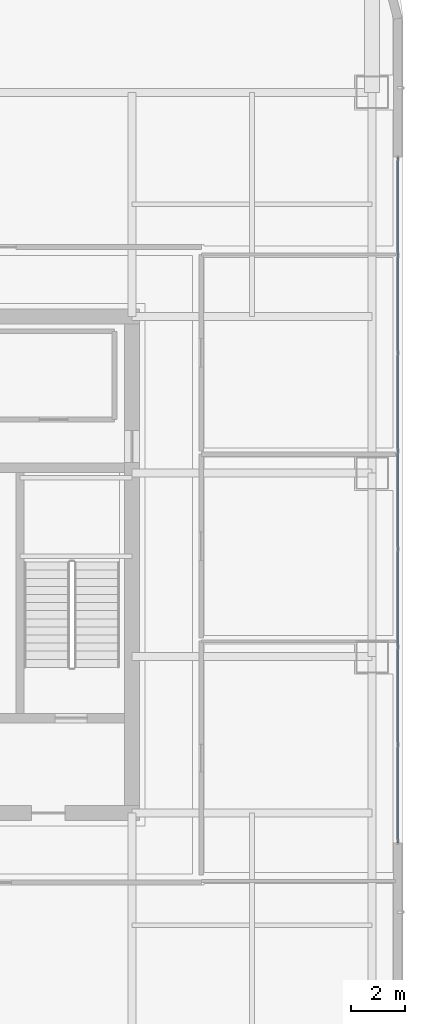
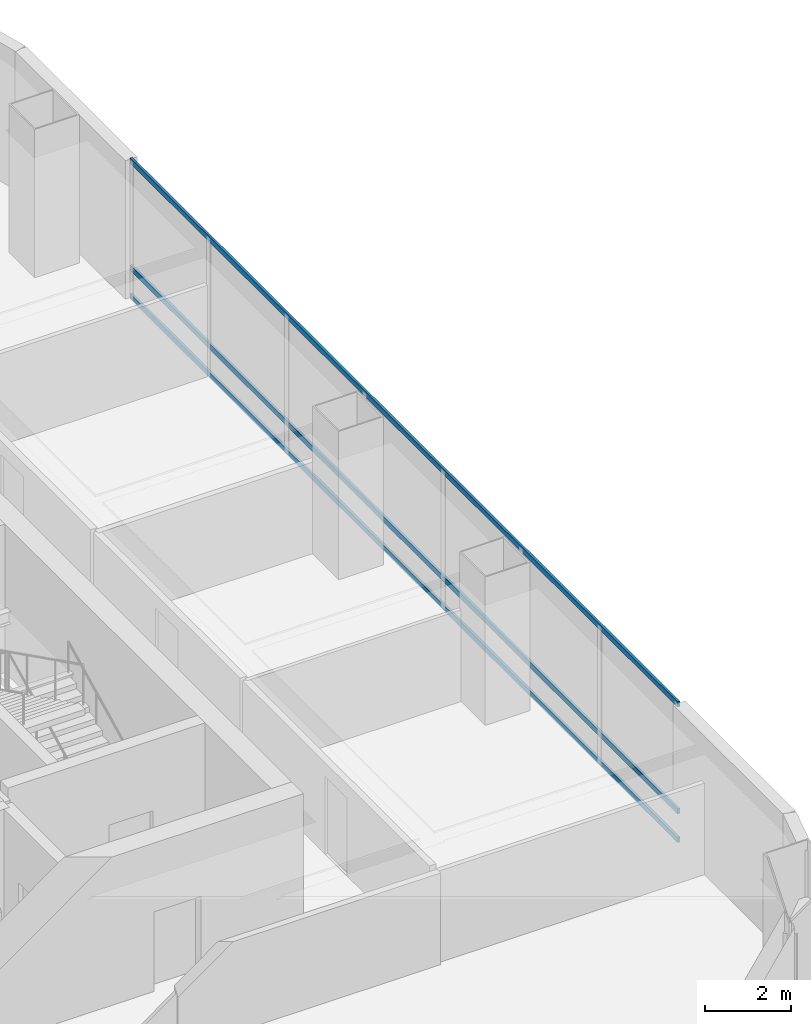
# One storey, part 18 of 51: 3 members, 1 element without a shape of its own.
"""IFC4 building model written with IfcOpenShell, lengths in metres."""

from ifc_helpers import new_model, si_unit, direction, frame, origin, origin_2d, place, context, subcontext, project, spatial, hollow_rectangle, extrude, material, material_profile, profile_set, type_object, element, aggregate, save


model = new_model("IFC4")

# Units and contexts
model_context = context("Model", 3, precision=1e-05, world=origin(), true_north=direction((0.0, 1.0)))
body_context = subcontext(model_context, "Body", "Model", "MODEL_VIEW")
ifc_project = project(units=[si_unit("LENGTHUNIT", "METRE"), si_unit("AREAUNIT", "SQUARE_METRE"), si_unit("VOLUMEUNIT", "CUBIC_METRE"), si_unit("PLANEANGLEUNIT", "RADIAN"), si_unit("MASSUNIT", "GRAM", prefix="KILO")], contexts=[model_context])

# Site, building, storey
site_placement = place(None, origin())
site = spatial("IfcSite", under=ifc_project, at=site_placement, CompositionType="ELEMENT")
building_placement = place(site_placement, origin())
building = spatial("IfcBuilding", under=site, at=building_placement, Name="Punatoya Terracotta Tower", CompositionType="ELEMENT")
storey_placement = place(building_placement, frame((0.0, 0.0, 313.199951171875)))
storey = spatial("IfcBuildingStorey", under=building, at=storey_placement, Name="L74", CompositionType="ELEMENT", Elevation=313.199951171875)

# Curtain wall, members
ifc_material_1 = material(Name="Aluminium 6063-T6 + Double Low-E Glass", Category="aluminium")
curtain_wall_type = type_object("IfcCurtainWallType", Name="CW-M3", PredefinedType="NOTDEFINED", material=ifc_material_1)
curtain_wall_placement = place(storey_placement, origin())
curtain_wall = element("IfcCurtainWall", 1, at=curtain_wall_placement, inside=storey, type_object=curtain_wall_type, Name="L74 Curtain Wall CW-L74-E05-1", PredefinedType="NOTDEFINED")
ifc_material_2 = material(Name="Aluminium 6063-T6", Category="aluminium")
ifc_material_profile = material_profile(ifc_material_2, hollow_rectangle(XDim=0.068115234375, YDim=0.14990234375, WallThickness=0.00390625, at=origin_2d()))
ifc_profile_set = profile_set([ifc_material_profile], Name="Aluminium 6063-T6")
member_type = type_object("IfcMemberType", Name="CW-TRN-TYP", PredefinedType="USERDEFINED", material=ifc_profile_set)
member_1_placement = place(storey_placement, frame((20.050048828125, -10.300048828125, 0.0400390625), z_axis=(0.0, 1.0, 0.0), x_axis=(-1.0, 0.0, 0.0)))
member_1 = element("IfcMember", 2, at=member_1_placement, type_object=member_type, Name="CW-L74-E05-1 Transom 1", ObjectType="TRANSOM", PredefinedType="USERDEFINED", context=body_context, shape_type="SweptSolid", body=[
    extrude(hollow_rectangle(XDim=0.068115234375, YDim=0.14990234375, WallThickness=0.00390625, at=origin_2d()), origin(), (0.0, 0.0, 1.0), 25.400146484375),
])
member_2_placement = place(storey_placement, frame((20.050048828125, -10.300048828125, 0.85009765625), z_axis=(0.0, 1.0, 0.0), x_axis=(-1.0, 0.0, 0.0)))
member_2 = element("IfcMember", 3, at=member_2_placement, type_object=member_type, Name="CW-L74-E05-1 Transom 2", ObjectType="TRANSOM", PredefinedType="USERDEFINED", context=body_context, shape_type="SweptSolid", body=[
    extrude(hollow_rectangle(XDim=0.068115234375, YDim=0.14990234375, WallThickness=0.00390625, at=origin_2d()), origin(), (0.0, 0.0, 1.0), 25.400146484375),
])
member_3_placement = place(storey_placement, frame((20.050048828125, -10.300048828125, 3.880126953125), z_axis=(0.0, 1.0, 0.0), x_axis=(-1.0, 0.0, 0.0)))
member_3 = element("IfcMember", 4, at=member_3_placement, type_object=member_type, Name="CW-L74-E05-1 Transom 3", ObjectType="TRANSOM", PredefinedType="USERDEFINED", context=body_context, shape_type="SweptSolid", body=[
    extrude(hollow_rectangle(XDim=0.068115234375, YDim=0.14990234375, WallThickness=0.00390625, at=origin_2d()), origin(), (0.0, 0.0, 1.0), 25.400146484375),
])
aggregate(curtain_wall, [member_1, member_2, member_3])

save(model, "model.ifc")
